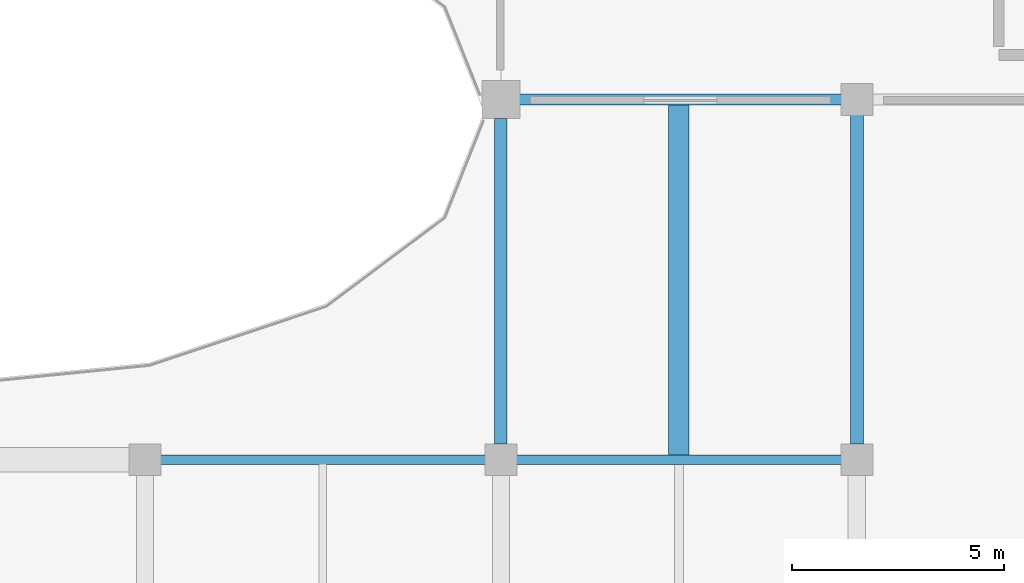
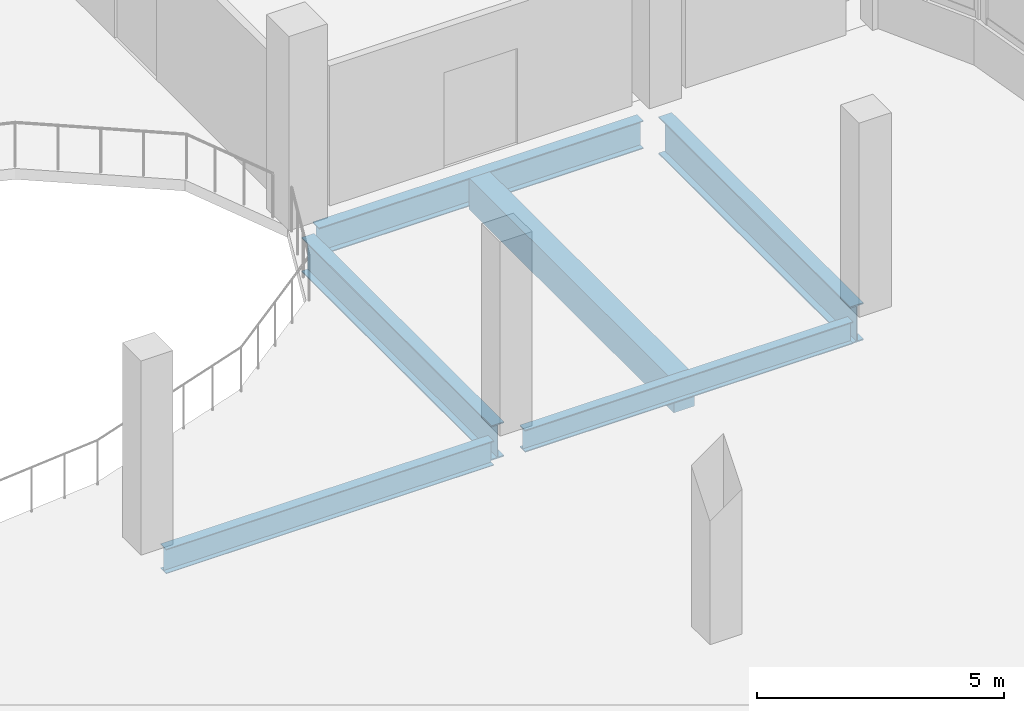
# One storey, part 21 of 77: 6 beams.
"""IFC4 building model written with IfcOpenShell, lengths in metres."""

from ifc_helpers import new_model, si_unit, direction, frame, origin, origin_2d, place, context, subcontext, project, spatial, rectangle, i_section, extrude, material, material_profile, profile_set, type_object, element, save


model = new_model("IFC4")

# Units and contexts
model_context = context("Model", 3, precision=1e-05, world=origin(), true_north=direction((0.0, 1.0)))
body_context = subcontext(model_context, "Body", "Model", "MODEL_VIEW")
ifc_project = project(units=[si_unit("LENGTHUNIT", "METRE"), si_unit("AREAUNIT", "SQUARE_METRE"), si_unit("VOLUMEUNIT", "CUBIC_METRE"), si_unit("PLANEANGLEUNIT", "RADIAN"), si_unit("MASSUNIT", "GRAM", prefix="KILO")], contexts=[model_context])

# Site, building, storey
site_placement = place(None, origin())
site = spatial("IfcSite", under=ifc_project, at=site_placement, CompositionType="ELEMENT")
building_placement = place(site_placement, origin())
building = spatial("IfcBuilding", under=site, at=building_placement, Name="Solvento Point Concert Hall", CompositionType="ELEMENT")
storey_placement = place(building_placement, frame((0.0, 0.0, 10.199951171875)))
storey = spatial("IfcBuildingStorey", under=building, at=storey_placement, Name="L02", CompositionType="ELEMENT", Elevation=10.199951171875)

# Beams
ifc_material_1 = material(Name="Concrete C35/45", Category="concrete")
ifc_material_profile_1 = material_profile(ifc_material_1, rectangle(XDim=0.47998046875, YDim=0.780029296875, at=origin_2d()), Name="RC-BM-480X780")
ifc_profile_set_1 = profile_set([ifc_material_profile_1], Name="Concrete C35/45")
beam_type_1 = type_object("IfcBeamType", Name="Beam_RC_480x780", PredefinedType="BEAM", material=ifc_profile_set_1)
beam_1_placement = place(storey_placement, frame((78.60009765625, 34.092041015625, -0.833984375), z_axis=(0.0, 1.0, 0.0), x_axis=(-1.0, 0.0, 0.0)))
element("IfcBeam", 1, at=beam_1_placement, inside=storey, type_object=beam_type_1, Name="Secondary floor joist B-74 L02", PredefinedType="BEAM", context=body_context, shape_type="SweptSolid", body=[
    extrude(rectangle(XDim=0.47998046875, YDim=0.780029296875, at=origin_2d()), origin(), (0.0, 0.0, 1.0), 8.294921875),
])
ifc_material_2 = material(Name="Structural Steel ASTM A992 Grade 50", Category="steel")
ifc_material_profile_2 = material_profile(ifc_material_2, i_section(OverallWidth=0.214111328125, OverallDepth=0.549072265625, WebThickness=0.0146484375, FlangeThickness=0.023681640625, at=origin_2d()), Name="W21X93")
ifc_profile_set_2 = profile_set([ifc_material_profile_2], Name="Structural Steel ASTM A992 Grade 50")
beam_type_2 = type_object("IfcBeamType", Name="Beam_W21X93", PredefinedType="BEAM", material=ifc_profile_set_2)
beam_2_placement = place(storey_placement, frame((74.76904296875, 34.0, -0.54833984375), z_axis=(1.0, 0.0, 0.0), x_axis=(0.0, 1.0, 0.0)))
element("IfcBeam", 2, at=beam_2_placement, inside=storey, type_object=beam_type_2, Name="Primary girder B-48 L02", PredefinedType="BEAM", context=body_context, shape_type="SweptSolid", body=[
    extrude(i_section(OverallWidth=0.214111328125, OverallDepth=0.549072265625, WebThickness=0.0146484375, FlangeThickness=0.023681640625, at=origin_2d()), origin(), (0.0, 0.0, 1.0), 7.661865234375),
])
ifc_material_3 = material(Name="Structural Steel ASTM A992 Grade 50", Category="steel")
ifc_material_profile_3 = material_profile(ifc_material_3, i_section(OverallWidth=0.228515625, OverallDepth=0.60791015625, WebThickness=0.01123046875, FlangeThickness=0.017333984375, at=origin_2d()), Name="W24X76")
ifc_profile_set_3 = profile_set([ifc_material_profile_3], Name="Structural Steel ASTM A992 Grade 50")
beam_type_3 = type_object("IfcBeamType", Name="Beam_W24X76", PredefinedType="BEAM", material=ifc_profile_set_3)
beam_3_placement = place(storey_placement, frame((66.368896484375, 34.0, -0.577880859375), z_axis=(1.0, 0.0, 0.0), x_axis=(0.0, 1.0, 0.0)))
element("IfcBeam", 3, at=beam_3_placement, inside=storey, type_object=beam_type_3, Name="Primary girder B-42 L02", PredefinedType="BEAM", context=body_context, shape_type="SweptSolid", body=[
    extrude(i_section(OverallWidth=0.228515625, OverallDepth=0.60791015625, WebThickness=0.01123046875, FlangeThickness=0.017333984375, at=origin_2d()), origin(), (0.0, 0.0, 1.0), 7.662109375),
])
ifc_material_4 = material(Name="Structural Steel ASTM A992 Grade 50", Category="steel")
ifc_material_profile_4 = material_profile(ifc_material_4, i_section(OverallWidth=0.256103515625, OverallDepth=0.693115234375, WebThickness=0.014404296875, FlangeThickness=0.023681640625, at=origin_2d()), Name="W27X114")
ifc_profile_set_4 = profile_set([ifc_material_profile_4], Name="Structural Steel ASTM A992 Grade 50")
beam_type_4 = type_object("IfcBeamType", Name="Girder_W27X114", PredefinedType="USERDEFINED", material=ifc_profile_set_4)
beam_4_placement = place(storey_placement, frame((74.843994140625, 42.5, -0.79052734375), z_axis=(1.0, 0.0, 0.0), x_axis=(0.0, 1.0, 0.0)))
element("IfcBeam", 4, at=beam_4_placement, inside=storey, type_object=beam_type_4, Name="Primary girder B-23 L02", ObjectType="GIRDER", PredefinedType="USERDEFINED", context=body_context, shape_type="SweptSolid", body=[
    extrude(i_section(OverallWidth=0.256103515625, OverallDepth=0.693115234375, WebThickness=0.014404296875, FlangeThickness=0.023681640625, at=origin_2d()), origin(), (0.0, 0.0, 1.0), 7.5869140625),
])
ifc_material_5 = material(Name="Structural Steel ASTM A992 Grade 50", Category="steel")
ifc_material_profile_5 = material_profile(ifc_material_5, i_section(OverallWidth=0.2919921875, OverallDepth=0.85888671875, WebThickness=0.01708984375, FlangeThickness=0.031005859375, at=origin_2d()), Name="W33X169")
ifc_profile_set_5 = profile_set([ifc_material_profile_5], Name="Structural Steel ASTM A992 Grade 50")
beam_type_5 = type_object("IfcBeamType", Name="Girder_W33X169", PredefinedType="USERDEFINED", material=ifc_profile_set_5)
beam_5_placement = place(storey_placement, frame((74.39990234375, 34.368896484375, -0.703369140625), z_axis=(0.0, 1.0, 0.0), x_axis=(-1.0, 0.0, 0.0)))
element("IfcBeam", 5, at=beam_5_placement, inside=storey, type_object=beam_type_5, Name="Primary girder B-33 L02", ObjectType="GIRDER", PredefinedType="USERDEFINED", context=body_context, shape_type="SweptSolid", body=[
    extrude(i_section(OverallWidth=0.2919921875, OverallDepth=0.85888671875, WebThickness=0.01708984375, FlangeThickness=0.031005859375, at=origin_2d()), origin(), (0.0, 0.0, 1.0), 7.68701171875),
])
ifc_material_6 = material(Name="Structural Steel ASTM A992 Grade 50", Category="steel")
ifc_material_profile_6 = material_profile(ifc_material_6, i_section(OverallWidth=0.3076171875, OverallDepth=0.927001953125, WebThickness=0.019287109375, FlangeThickness=0.031982421875, at=origin_2d()), Name="W36X194")
ifc_profile_set_6 = profile_set([ifc_material_profile_6], Name="Structural Steel ASTM A992 Grade 50")
beam_type_6 = type_object("IfcBeamType", Name="Girder_W36X194", PredefinedType="USERDEFINED", material=ifc_profile_set_6)
beam_6_placement = place(storey_placement, frame((82.800048828125, 34.368896484375, -0.737548828125), z_axis=(0.0, 1.0, 0.0), x_axis=(-1.0, 0.0, 0.0)))
element("IfcBeam", 6, at=beam_6_placement, inside=storey, type_object=beam_type_6, Name="Primary girder B-61 L02", ObjectType="GIRDER", PredefinedType="USERDEFINED", context=body_context, shape_type="SweptSolid", body=[
    extrude(i_section(OverallWidth=0.3076171875, OverallDepth=0.927001953125, WebThickness=0.019287109375, FlangeThickness=0.031982421875, at=origin_2d()), origin(), (0.0, 0.0, 1.0), 7.76220703125),
])

save(model, "model.ifc")
